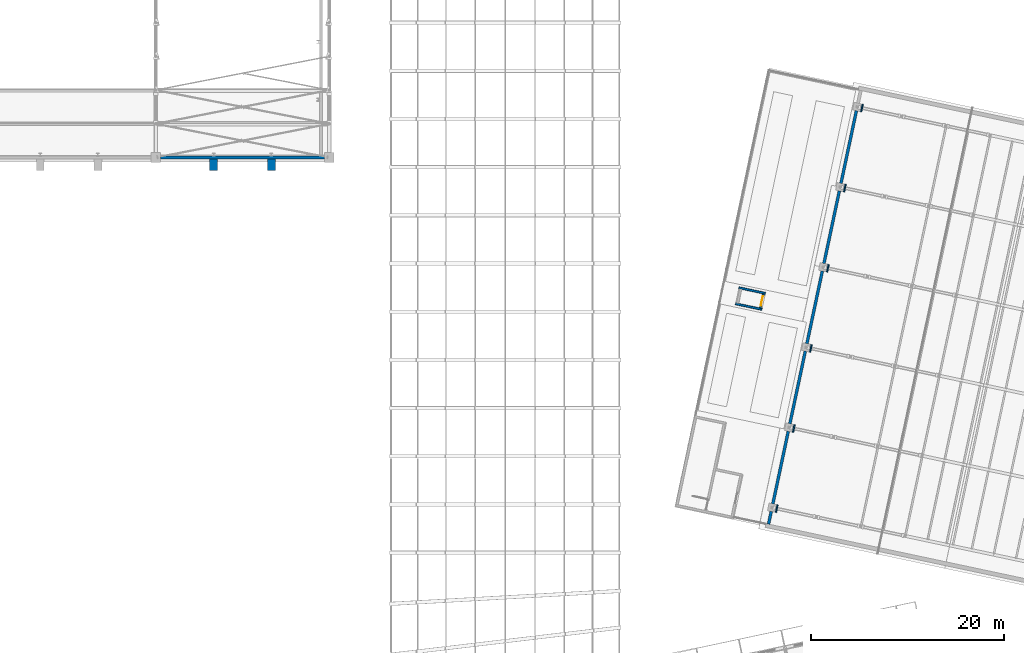
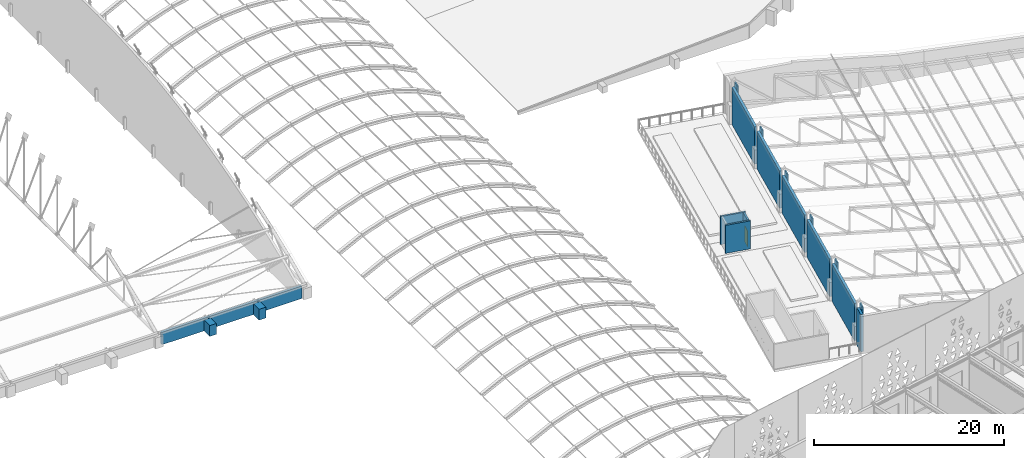
# One storey, part 127 of 196: 18 walls, 1 door, 1 opening.
"""IFC4 building model written with IfcOpenShell, lengths in metres."""

import ifcopenshell
import ifcopenshell.guid

model = None  # the IFC model being written
_history = None  # IfcOwnerHistory: only IFC2X3 demands one
_inside = {}  # id of a spatial element -> (the spatial element, [elements in it])
_under = {}  # id of a project, library or spatial element -> (it, [spatial elements below it])
_declared = {}  # id of a project -> (the project, [libraries it declares])
_typed = {}  # id of a type object -> (the type object, [elements of that type])
_made_of = {}  # id of a material, layer set ... -> (it, [elements and type objects made of it])


def new_model(schema):
    """Start an empty IFC model of exactly this schema.

    Asked for "IFC4X3", IfcOpenShell would pick the latest addendum, in which some entities
    have other attributes; the version numbers below select the first issue.
    IFC2X3 requires an IfcOwnerHistory on every rooted entity: one is made here for all.
    """
    global model, _history
    if schema == "IFC4X3":
        model = ifcopenshell.file(schema_version=(4, 3, 0, 0))
    else:
        model = ifcopenshell.file(schema=schema)
    _inside.clear()
    _under.clear()
    _declared.clear()
    _typed.clear()
    _made_of.clear()
    _history = None
    if model.schema == "IFC2X3":
        org = make("IfcOrganization", Name="unknown")
        user = make(
            "IfcPersonAndOrganization",
            ThePerson=make("IfcPerson", FamilyName="unknown"),
            TheOrganization=org,
        )
        app = make(
            "IfcApplication",
            ApplicationDeveloper=org,
            Version="unknown",
            ApplicationFullName="unknown",
            ApplicationIdentifier="unknown",
        )
        _history = make(
            "IfcOwnerHistory",
            OwningUser=user,
            OwningApplication=app,
            ChangeAction="ADDED",
            CreationDate=0,
        )
    return model


def make(cls, **values):
    """One entity of the class cls with the attributes given. An attribute that is None is left unset."""
    return model.create_entity(
        cls, **{name: value for name, value in values.items() if value is not None}
    )


def rooted(cls, **values):
    """An entity with a GlobalId (a new one), such as an element, a storey or a relation."""
    return make(cls, GlobalId=ifcopenshell.guid.new(), OwnerHistory=_history, **values)


def si_unit(unit_type, name, prefix=None):
    """IfcSIUnit, for example si_unit("LENGTHUNIT", "METRE", prefix="MILLI")."""
    return make("IfcSIUnit", UnitType=unit_type, Prefix=prefix, Name=name)


def assignment(units):
    """IfcUnitAssignment: the units of a project."""
    return None if units is None else make("IfcUnitAssignment", Units=units)


def point(xyz):
    """IfcCartesianPoint."""
    return None if xyz is None else make("IfcCartesianPoint", Coordinates=xyz)


def direction(xyz):
    """IfcDirection."""
    return None if xyz is None else make("IfcDirection", DirectionRatios=xyz)


def frame(location, z_axis=None, x_axis=None):
    """IfcAxis2Placement3D, a coordinate frame: its origin and axes. An axis left out is left unset."""
    return make(
        "IfcAxis2Placement3D",
        Location=point(location),
        Axis=direction(z_axis),
        RefDirection=direction(x_axis),
    )


def frame_2d(location, x_axis=None):
    """IfcAxis2Placement2D, a coordinate frame in the plane: its origin and x axis."""
    return make(
        "IfcAxis2Placement2D", Location=point(location), RefDirection=direction(x_axis)
    )


def origin():
    """The frame at (0, 0, 0) with its axes left unset."""
    return frame((0.0, 0.0, 0.0))


def place(relative_to, where):
    """IfcLocalPlacement: puts the frame where relative to a parent placement (None: the world)."""
    return make(
        "IfcLocalPlacement", PlacementRelTo=relative_to, RelativePlacement=where
    )


def context(
    kind, dimensions, precision=None, world=None, true_north=None, identifier=None
):
    """IfcGeometricRepresentationContext, for example the 3D "Model" context."""
    return make(
        "IfcGeometricRepresentationContext",
        ContextIdentifier=identifier,
        ContextType=kind,
        CoordinateSpaceDimension=dimensions,
        Precision=precision,
        WorldCoordinateSystem=world,
        TrueNorth=true_north,
    )


def subcontext(parent, identifier, kind, view, scale=None):
    """IfcGeometricRepresentationSubContext, for example "Body" below "Model"."""
    return make(
        "IfcGeometricRepresentationSubContext",
        ContextIdentifier=identifier,
        ContextType=kind,
        ParentContext=parent,
        TargetScale=scale,
        TargetView=view,
    )


def project(units=None, contexts=None):
    """IfcProject with its units and contexts."""
    return rooted(
        "IfcProject",
        Name="project",
        RepresentationContexts=contexts,
        UnitsInContext=assignment(units),
    )


def spatial(cls, under=None, at=None, **own):
    """A site, building, storey or space (cls), placed at a placement, below another one or the project."""
    s = rooted(cls, ObjectPlacement=at, **own)
    if under is not None:
        _under.setdefault(under.id(), (under, []))[1].append(s)
    return s


def profile(cls, at=None, kind="AREA", **sizes):
    """A parametric profile (cls). Its sizes go by their IFC names, for example OverallWidth=200.0."""
    return make(cls, ProfileType=kind, Position=at, **sizes)


def rectangle(**sizes):
    """IfcRectangleProfileDef."""
    return profile("IfcRectangleProfileDef", **sizes)


def extrude(swept, where, along, depth):
    """IfcExtrudedAreaSolid: the profile swept, set in the frame where, extruded along a direction by depth."""
    return make(
        "IfcExtrudedAreaSolid",
        SweptArea=swept,
        Position=where,
        ExtrudedDirection=direction(along),
        Depth=depth,
    )


def shape(context_of_items, identifier, shape_type, items):
    """IfcShapeRepresentation: the items that make up one representation, for example the "Body"."""
    return make(
        "IfcShapeRepresentation",
        ContextOfItems=context_of_items,
        RepresentationIdentifier=identifier,
        RepresentationType=shape_type,
        Items=items,
    )


def material(Name=None, Category=None):
    """IfcMaterial."""
    return make("IfcMaterial", Name=Name, Category=Category)


def layer(
    of_material, thickness, ventilated=None, Name=None, Category=None, Priority=None
):
    """IfcMaterialLayer: one layer of a wall or slab, of a material (None: an air gap)."""
    return make(
        "IfcMaterialLayer",
        Material=of_material,
        LayerThickness=thickness,
        IsVentilated=ventilated,
        Name=Name,
        Category=Category,
        Priority=Priority,
    )


def layer_set(layers, Name=None):
    """IfcMaterialLayerSet."""
    return make("IfcMaterialLayerSet", MaterialLayers=layers, LayerSetName=Name)


def made_of(thing, what):
    """Note that an element or type object is made of a material, layer set ...; save() writes the relation."""
    if what is not None:
        _made_of.setdefault(what.id(), (what, []))[1].append(thing)
    return thing


def type_object(cls, material=None, **own):
    """A type object (cls), such as IfcWallType, which elements share."""
    return made_of(rooted(cls, **own), material)


def element(
    cls,
    number,
    at=None,
    inside=None,
    cuts=None,
    type_object=None,
    material=None,
    context=None,
    identifier="Body",
    shape_type=None,
    held_by="IfcProductDefinitionShape",
    body=None,
    shapes=None,
    **own,
):
    """One element of the class cls, such as IfcWall. Its Tag is "e" and its number.

    at: its placement. inside: the storey or other place that contains it. cuts: it is an
    opening in that element (IfcRelVoidsElement). A single representation is given by context,
    identifier, shape_type and body (its items); several are given by shapes. held_by: the class
    of the entity that holds the representations. save() writes the other relations.
    """
    e = rooted(cls, Tag="e%d" % number, ObjectPlacement=at, **own)
    if body is not None:
        shapes = [shape(context, identifier, shape_type, body)]
    if shapes is not None:
        e.Representation = make(held_by, Representations=shapes)
    if inside is not None:
        _inside.setdefault(inside.id(), (inside, []))[1].append(e)
    if cuts is not None:
        rooted(
            "IfcRelVoidsElement", RelatingBuildingElement=cuts, RelatedOpeningElement=e
        )
    if type_object is not None:
        _typed.setdefault(type_object.id(), (type_object, []))[1].append(e)
    return made_of(e, material)


def fill(opening, filler):
    """IfcRelFillsElement: the door or window that sits in an opening."""
    return rooted(
        "IfcRelFillsElement",
        RelatingOpeningElement=opening,
        RelatedBuildingElement=filler,
    )


def aggregate(whole, parts):
    """IfcRelAggregates: a whole, such as a stair, and the parts it consists of."""
    return rooted("IfcRelAggregates", RelatingObject=whole, RelatedObjects=parts)


def save(model, path):
    """Write the relations noted so far, then the file.

    IfcRelAggregates (storeys below a building ...), IfcRelContainedInSpatialStructure (elements
    in a storey), IfcRelDefinesByType, IfcRelAssociatesMaterial and IfcRelDeclares: one each for
    every whole, place, type object, material and project.
    """
    for whole, parts in _under.values():
        aggregate(whole, parts)
    for where, things in _inside.values():
        rooted(
            "IfcRelContainedInSpatialStructure",
            RelatedElements=things,
            RelatingStructure=where,
        )
    for kind, things in _typed.values():
        rooted("IfcRelDefinesByType", RelatedObjects=things, RelatingType=kind)
    for what, things in _made_of.values():
        rooted("IfcRelAssociatesMaterial", RelatedObjects=things, RelatingMaterial=what)
    for by, libraries in _declared.values():
        rooted("IfcRelDeclares", RelatingContext=by, RelatedDefinitions=libraries)
    model.write(path)


model = new_model("IFC4")

# Units and contexts
model_context = context("Model", 3, precision=1e-05, world=origin(), true_north=direction((0.0, 1.0)))
body_context = subcontext(model_context, "Body", "Model", "MODEL_VIEW")
ifc_project = project(units=[si_unit("LENGTHUNIT", "METRE"), si_unit("AREAUNIT", "SQUARE_METRE"), si_unit("VOLUMEUNIT", "CUBIC_METRE"), si_unit("PLANEANGLEUNIT", "RADIAN"), si_unit("MASSUNIT", "GRAM", prefix="KILO")], contexts=[model_context])

# Site, building, storey
site_placement = place(None, origin())
site = spatial("IfcSite", under=ifc_project, at=site_placement, CompositionType="ELEMENT")
building_placement = place(site_placement, origin())
building = spatial("IfcBuilding", under=site, at=building_placement, Name="Okhra Congress Centre", CompositionType="ELEMENT")
storey_placement = place(building_placement, frame((0.0, 0.0, 12.0)))
storey = spatial("IfcBuildingStorey", under=building, at=storey_placement, Name="L02", CompositionType="ELEMENT", Elevation=12.0)

# Walls
ifc_material_1 = material(Name="Concrete C35/45", Category="concrete")
ifc_layer_1 = layer(ifc_material_1, 0.800048828125)
ifc_layer_set_1 = layer_set([ifc_layer_1], Name="Buttress fin 800 REI 120 C35/45")
wall_type_1 = type_object("IfcWallType", Name="Buttress fin 800 REI 120 C35/45", PredefinedType="SOLIDWALL", material=ifc_layer_set_1)
for number, where, z_axis, x_axis, name in (
    (1, (142.0, 130.64990234375, 0.0), (0.0, 0.0, 1.0), (0.0, 1.0, 0.0), "EH.WALL.L02.20"),
    (2, (148.0, 130.64990234375, 0.0), (0.0, 0.0, 1.0), (0.0, 1.0, 0.0), "EH.WALL.L02.21"),
):
    element("IfcWall", number, at=place(storey_placement, frame(where, z_axis=z_axis, x_axis=x_axis)), inside=storey, type_object=wall_type_1, Name=name, PredefinedType="SOLIDWALL", context=body_context, shape_type="SweptSolid", body=[
        extrude(rectangle(XDim=1.210205078125, YDim=0.800048828125, at=frame_2d((0.60498046875, 0.0))), origin(), (0.0, 0.0, 1.0), 1.39990234375),
    ])
ifc_material_2 = material(Name="Insulated metal sandwich panel (mineral wool core)")
ifc_layer_2 = layer(ifc_material_2, 0.14990234375)
ifc_layer_set_2 = layer_set([ifc_layer_2], Name="Insulated infill panel 150")
wall_type_2 = type_object("IfcWallType", Name="Insulated infill panel 150", PredefinedType="SOLIDWALL", material=ifc_layer_set_2)
wall_1_placement = place(storey_placement, frame((200.355712890625, 95.178955078125, 2.3857421875), z_axis=(0.0, 0.0, 1.0), x_axis=(0.207840504985, 0.978162729042, 0.0)))
element("IfcWall", 3, at=wall_1_placement, inside=storey, type_object=wall_type_2, Name="Hall partition infill 1", PredefinedType="SOLIDWALL", context=body_context, shape_type="SweptSolid", body=[
    extrude(rectangle(XDim=0.800048828125, YDim=0.14990234375, at=frame_2d((0.39990234375, 0.0))), origin(), (0.0, 0.0, 1.0), 2.414306640625),
])
wall_2_placement = place(storey_placement, frame((202.122802734375, 103.4931640625, 2.3857421875), z_axis=(0.0, 0.0, 1.0), x_axis=(0.207778475573, 0.978175907027, 0.0)))
element("IfcWall", 4, at=wall_2_placement, inside=storey, type_object=wall_type_2, Name="Hall partition infill 2", PredefinedType="SOLIDWALL", context=body_context, shape_type="SweptSolid", body=[
    extrude(rectangle(XDim=0.80029296875, YDim=0.14990234375, at=frame_2d((0.400146484375, 0.0))), origin(), (0.0, 0.0, 1.0), 2.414306640625),
])
for number, where, z_axis, x_axis, name in (
    (5, (203.89013671875, 111.8076171875, 2.3857421875), (0.0, 0.0, 1.0), (0.207840504985, 0.978162729042, 0.0), "Hall partition infill 3"),
    (6, (205.657470703125, 120.121826171875, 2.3857421875), (0.0, 0.0, 1.0), (0.207840504985, 0.978162729042, 0.0), "Hall partition infill 4"),
    (7, (207.424560546875, 128.43603515625, 2.3857421875), (0.0, 0.0, 1.0), (0.207840504985, 0.978162729042, 0.0), "Hall partition infill 5"),
    (8, (209.19189453125, 136.750244140625, 2.3857421875), (0.0, 0.0, 1.0), (0.207840504985, 0.978162729042, 0.0), "Hall partition infill 6"),
):
    element("IfcWall", number, at=place(storey_placement, frame(where, z_axis=z_axis, x_axis=x_axis)), inside=storey, type_object=wall_type_2, Name=name, PredefinedType="SOLIDWALL", context=body_context, shape_type="SweptSolid", body=[
        extrude(rectangle(XDim=0.800048828125, YDim=0.14990234375, at=frame_2d((0.39990234375, 0.0))), origin(), (0.0, 0.0, 1.0), 2.414306640625),
    ])
ifc_layer_3 = layer(ifc_material_2, 0.300048828125)
ifc_layer_set_3 = layer_set([ifc_layer_3], Name="Insulated wall panel 300")
wall_type_3 = type_object("IfcWallType", Name="Insulated wall panel 300", PredefinedType="SOLIDWALL", material=ifc_layer_set_3)
wall_3_placement = place(storey_placement, frame((136.5, 132.0, 0.0), z_axis=(0.0, 0.0, 1.0), x_axis=(1.0, 0.0, 0.0)))
element("IfcWall", 9, at=wall_3_placement, inside=storey, type_object=wall_type_3, Name="EH.WALL.L02.7", PredefinedType="SOLIDWALL", context=body_context, shape_type="SweptSolid", body=[
    extrude(rectangle(XDim=17.0, YDim=0.300048828125, at=frame_2d((8.5, 0.0))), origin(), (0.0, 0.0, 1.0), 1.57666015625),
])
ifc_material_3 = material(Name="Concrete C30/37", Category="concrete")
ifc_layer_4 = layer(ifc_material_3, 0.300048828125)
ifc_layer_set_4 = layer_set([ifc_layer_4], Name="RC partition wall 300 C30/37")
wall_type_4 = type_object("IfcWallType", Name="RC partition wall 300 C30/37", PredefinedType="SOLIDWALL", material=ifc_layer_set_4)
wall_4_placement = place(storey_placement, frame((199.5859375, 93.96240234375, 0.0), z_axis=(0.0, 0.0, 1.0), x_axis=(0.207787380965, 0.978174015353, 0.0)))
element("IfcWall", 10, at=wall_4_placement, inside=storey, type_object=wall_type_4, Name="Hall and foyer partition wall", PredefinedType="SOLIDWALL", context=body_context, shape_type="SweptSolid", body=[
    extrude(rectangle(XDim=1.35009765625, YDim=0.300048828125, at=frame_2d((0.675048828125, 0.0))), origin(), (0.0, 0.0, 1.0), 4.800048828125),
])
for number, where, z_axis, x_axis, name in (
    (11, (200.032958984375, 96.0654296875, 0.0), (0.0, 0.0, 1.0), (0.207900468663, 0.978149986009, 0.0), "Hall and foyer partition wall"),
    (12, (201.800048828125, 104.379638671875, 0.0), (0.0, 0.0, 1.0), (0.207930804564, 0.978143537786, 0.0), "Hall and foyer partition wall"),
    (13, (203.5673828125, 112.694091796875, 0.0), (0.0, 0.0, 1.0), (0.207900468663, 0.978149986009, 0.0), "Hall and foyer partition wall"),
    (14, (205.334716796875, 121.00830078125, 0.0), (0.0, 0.0, 1.0), (0.207900468663, 0.978149986009, 0.0), "Hall and foyer partition wall"),
    (15, (207.101806640625, 129.322509765625, 0.0), (0.0, 0.0, 1.0), (0.207930804564, 0.978143537786, 0.0), "Hall and foyer partition wall"),
):
    element("IfcWall", number, at=place(storey_placement, frame(where, z_axis=z_axis, x_axis=x_axis)), inside=storey, type_object=wall_type_4, Name=name, PredefinedType="SOLIDWALL", context=body_context, shape_type="SweptSolid", body=[
        extrude(rectangle(XDim=7.699951171875, YDim=0.300048828125, at=frame_2d((3.85009765625, 0.0))), origin(), (0.0, 0.0, 1.0), 4.800048828125),
    ])
ifc_layer_5 = layer(ifc_material_3, 0.199951171875)
ifc_layer_set_5 = layer_set([ifc_layer_5], Name="RC wall 200 REI 120 C30/37")
wall_type_5 = type_object("IfcWallType", Name="RC wall 200 REI 120 C30/37", PredefinedType="SOLIDWALL", material=ifc_layer_set_5)
for number, where, z_axis, x_axis, name in (
    (16, (196.1640625, 116.823486328125, 0.0), (0.0, 0.0, 1.0), (0.978138015478, -0.207956780791, 0.0), "Gallery lift shaft south wall"),
    (17, (196.517578125, 118.486328125, 0.0), (0.0, 0.0, 1.0), (0.978138015478, -0.207956780791, 0.0), "Gallery lift shaft north wall"),
):
    element("IfcWall", number, at=place(storey_placement, frame(where, z_axis=z_axis, x_axis=x_axis)), inside=storey, type_object=wall_type_5, Name=name, PredefinedType="SOLIDWALL", context=body_context, shape_type="SweptSolid", body=[
        extrude(rectangle(XDim=2.800048828125, YDim=0.199951171875, at=frame_2d((1.39990234375, 0.0))), origin(), (0.0, 0.0, 1.0), 3.60009765625),
    ])

# Wall, opening, door
wall_5_placement = place(storey_placement, frame((198.72802734375, 116.380615234375, 0.0), z_axis=(0.0, 0.0, 1.0), x_axis=(0.207995007687, 0.978129887478, 0.0)))
wall_5 = element("IfcWall", 18, at=wall_5_placement, inside=storey, type_object=wall_type_5, Name="Gallery lift shaft landing wall", PredefinedType="SOLIDWALL", context=body_context, shape_type="SweptSolid", body=[
    extrude(rectangle(XDim=1.5, YDim=0.199951171875, at=frame_2d((0.75, 0.0))), origin(), (0.0, 0.0, 1.0), 3.60009765625),
])
opening_placement = place(wall_5_placement, frame((0.25, 0.0, 0.0)))
opening = element("IfcOpeningElement", 19, at=opening_placement, cuts=wall_5, Name="Opening L02-003", PredefinedType="OPENING", context=body_context, shape_type="SweptSolid", body=[
    extrude(rectangle(XDim=1.0, YDim=2.10009765625, at=frame_2d((0.5, 1.050048828125))), frame((0.0, 0.10986328125, 0.0), z_axis=(0.0, -1.0, 0.0), x_axis=(1.0, 0.0, 0.0)), (0.0, 0.0, 1.0), 0.219970703125),
])
ifc_material_4 = material(Name="Stainless steel sliding landing door leaves", Category="steel")
door_type = type_object("IfcDoorType", Name="Lift landing door 1000x2100 EI 30", OperationType="DOUBLE_DOOR_SLIDING", PredefinedType="DOOR", material=ifc_material_4)
door_placement = place(opening_placement, frame((1.0, 0.0, 0.0), z_axis=(0.0, 0.0, 1.0), x_axis=(-1.0, 0.0, 0.0)))
door = element("IfcDoor", 20, at=door_placement, inside=storey, type_object=door_type, Name="Gallery lift landing door", OperationType="DOUBLE_DOOR_SLIDING", OverallHeight=2.10009765625, OverallWidth=1.0, PredefinedType="DOOR", context=body_context, shape_type="SweptSolid", body=[
    extrude(rectangle(XDim=1.0, YDim=2.10009765625, at=frame_2d((0.5, 1.050048828125))), frame((0.0, 0.02490234375, 0.0), z_axis=(0.0, -1.0, 0.0), x_axis=(1.0, 0.0, 0.0)), (0.0, 0.0, 1.0), 0.050048828125),
])
fill(opening, door)

save(model, "model.ifc")
